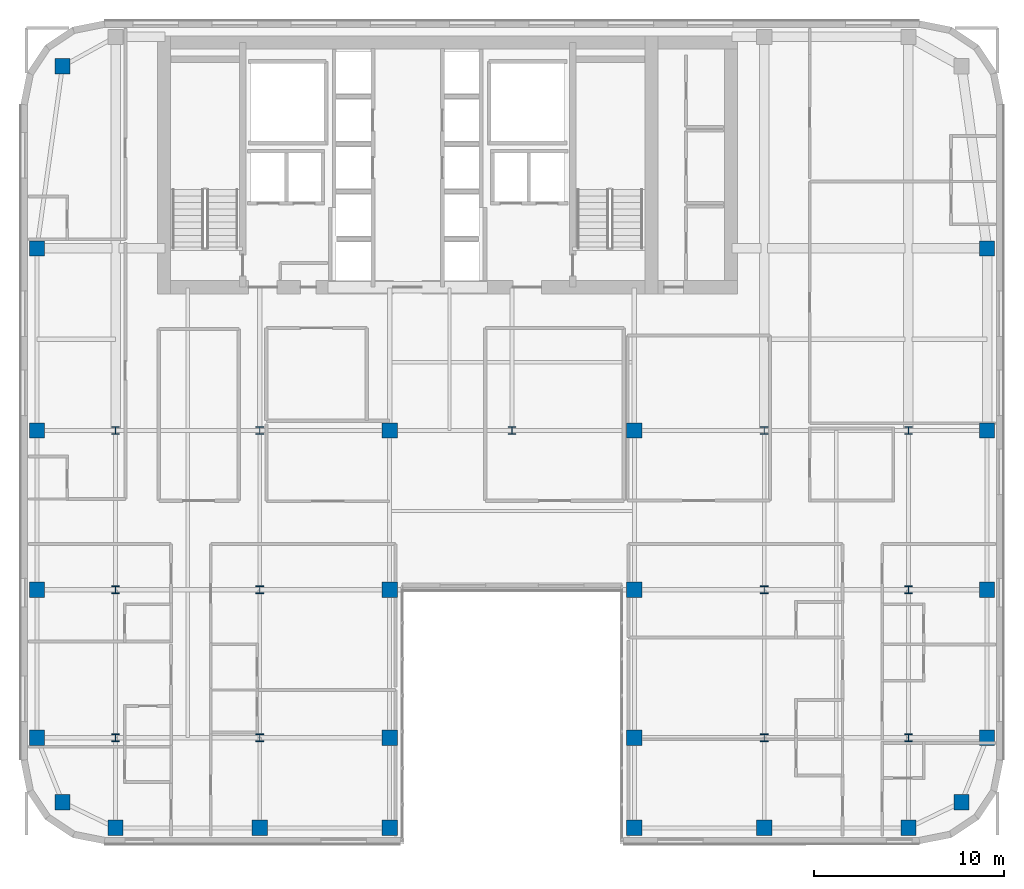
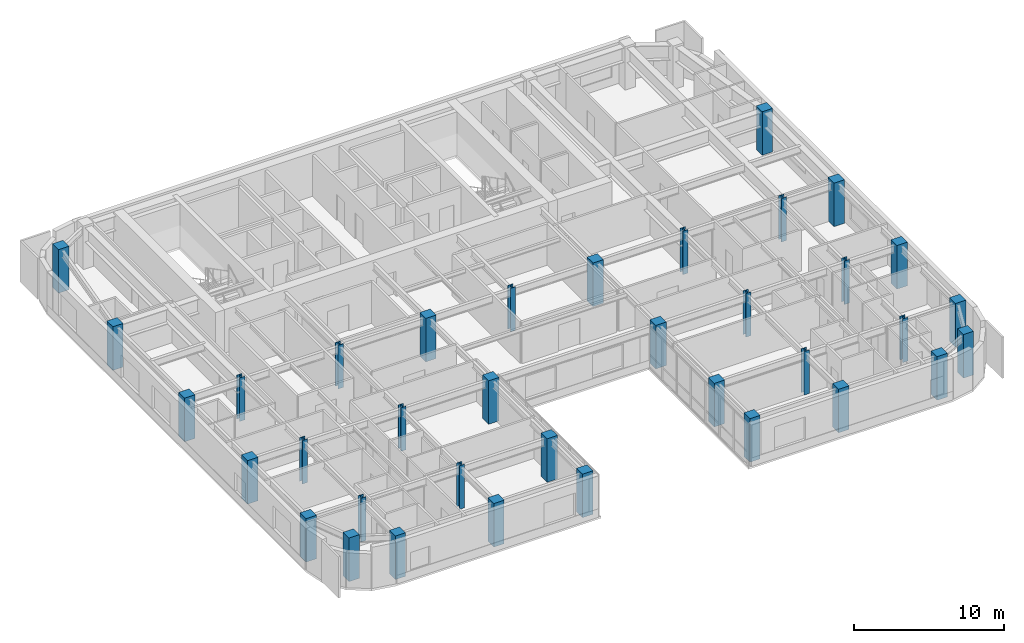
# One storey, part 1 of 20: 36 columns.
"""IFC4 building model written with IfcOpenShell, lengths in metres."""

import ifcopenshell
import ifcopenshell.guid

model = None  # the IFC model being written
_history = None  # IfcOwnerHistory: only IFC2X3 demands one
_inside = {}  # id of a spatial element -> (the spatial element, [elements in it])
_under = {}  # id of a project, library or spatial element -> (it, [spatial elements below it])
_declared = {}  # id of a project -> (the project, [libraries it declares])
_typed = {}  # id of a type object -> (the type object, [elements of that type])
_made_of = {}  # id of a material, layer set ... -> (it, [elements and type objects made of it])


def new_model(schema):
    """Start an empty IFC model of exactly this schema.

    Asked for "IFC4X3", IfcOpenShell would pick the latest addendum, in which some entities
    have other attributes; the version numbers below select the first issue.
    IFC2X3 requires an IfcOwnerHistory on every rooted entity: one is made here for all.
    """
    global model, _history
    if schema == "IFC4X3":
        model = ifcopenshell.file(schema_version=(4, 3, 0, 0))
    else:
        model = ifcopenshell.file(schema=schema)
    _inside.clear()
    _under.clear()
    _declared.clear()
    _typed.clear()
    _made_of.clear()
    _history = None
    if model.schema == "IFC2X3":
        org = make("IfcOrganization", Name="unknown")
        user = make(
            "IfcPersonAndOrganization",
            ThePerson=make("IfcPerson", FamilyName="unknown"),
            TheOrganization=org,
        )
        app = make(
            "IfcApplication",
            ApplicationDeveloper=org,
            Version="unknown",
            ApplicationFullName="unknown",
            ApplicationIdentifier="unknown",
        )
        _history = make(
            "IfcOwnerHistory",
            OwningUser=user,
            OwningApplication=app,
            ChangeAction="ADDED",
            CreationDate=0,
        )
    return model


def make(cls, **values):
    """One entity of the class cls with the attributes given. An attribute that is None is left unset."""
    return model.create_entity(
        cls, **{name: value for name, value in values.items() if value is not None}
    )


def rooted(cls, **values):
    """An entity with a GlobalId (a new one), such as an element, a storey or a relation."""
    return make(cls, GlobalId=ifcopenshell.guid.new(), OwnerHistory=_history, **values)


def si_unit(unit_type, name, prefix=None):
    """IfcSIUnit, for example si_unit("LENGTHUNIT", "METRE", prefix="MILLI")."""
    return make("IfcSIUnit", UnitType=unit_type, Prefix=prefix, Name=name)


def assignment(units):
    """IfcUnitAssignment: the units of a project."""
    return None if units is None else make("IfcUnitAssignment", Units=units)


def point(xyz):
    """IfcCartesianPoint."""
    return None if xyz is None else make("IfcCartesianPoint", Coordinates=xyz)


def direction(xyz):
    """IfcDirection."""
    return None if xyz is None else make("IfcDirection", DirectionRatios=xyz)


def frame(location, z_axis=None, x_axis=None):
    """IfcAxis2Placement3D, a coordinate frame: its origin and axes. An axis left out is left unset."""
    return make(
        "IfcAxis2Placement3D",
        Location=point(location),
        Axis=direction(z_axis),
        RefDirection=direction(x_axis),
    )


def frame_2d(location, x_axis=None):
    """IfcAxis2Placement2D, a coordinate frame in the plane: its origin and x axis."""
    return make(
        "IfcAxis2Placement2D", Location=point(location), RefDirection=direction(x_axis)
    )


def origin():
    """The frame at (0, 0, 0) with its axes left unset."""
    return frame((0.0, 0.0, 0.0))


def origin_2d():
    """The frame at (0, 0) in the plane with its x axis left unset."""
    return frame_2d((0.0, 0.0))


def place(relative_to, where):
    """IfcLocalPlacement: puts the frame where relative to a parent placement (None: the world)."""
    return make(
        "IfcLocalPlacement", PlacementRelTo=relative_to, RelativePlacement=where
    )


def context(
    kind, dimensions, precision=None, world=None, true_north=None, identifier=None
):
    """IfcGeometricRepresentationContext, for example the 3D "Model" context."""
    return make(
        "IfcGeometricRepresentationContext",
        ContextIdentifier=identifier,
        ContextType=kind,
        CoordinateSpaceDimension=dimensions,
        Precision=precision,
        WorldCoordinateSystem=world,
        TrueNorth=true_north,
    )


def subcontext(parent, identifier, kind, view, scale=None):
    """IfcGeometricRepresentationSubContext, for example "Body" below "Model"."""
    return make(
        "IfcGeometricRepresentationSubContext",
        ContextIdentifier=identifier,
        ContextType=kind,
        ParentContext=parent,
        TargetScale=scale,
        TargetView=view,
    )


def project(units=None, contexts=None):
    """IfcProject with its units and contexts."""
    return rooted(
        "IfcProject",
        Name="project",
        RepresentationContexts=contexts,
        UnitsInContext=assignment(units),
    )


def spatial(cls, under=None, at=None, **own):
    """A site, building, storey or space (cls), placed at a placement, below another one or the project."""
    s = rooted(cls, ObjectPlacement=at, **own)
    if under is not None:
        _under.setdefault(under.id(), (under, []))[1].append(s)
    return s


def profile(cls, at=None, kind="AREA", **sizes):
    """A parametric profile (cls). Its sizes go by their IFC names, for example OverallWidth=200.0."""
    return make(cls, ProfileType=kind, Position=at, **sizes)


def rectangle(**sizes):
    """IfcRectangleProfileDef."""
    return profile("IfcRectangleProfileDef", **sizes)


def i_section(**sizes):
    """IfcIShapeProfileDef."""
    return profile("IfcIShapeProfileDef", **sizes)


def extrude(swept, where, along, depth):
    """IfcExtrudedAreaSolid: the profile swept, set in the frame where, extruded along a direction by depth."""
    return make(
        "IfcExtrudedAreaSolid",
        SweptArea=swept,
        Position=where,
        ExtrudedDirection=direction(along),
        Depth=depth,
    )


def shape(context_of_items, identifier, shape_type, items):
    """IfcShapeRepresentation: the items that make up one representation, for example the "Body"."""
    return make(
        "IfcShapeRepresentation",
        ContextOfItems=context_of_items,
        RepresentationIdentifier=identifier,
        RepresentationType=shape_type,
        Items=items,
    )


def source(mapping_origin, context_of_items, identifier, shape_type, items):
    """IfcRepresentationMap: a shape defined once, which mapped items show again and again."""
    return make(
        "IfcRepresentationMap",
        MappingOrigin=mapping_origin,
        MappedRepresentation=shape(context_of_items, identifier, shape_type, items),
    )


def transform(
    local_origin,
    x_axis=None,
    y_axis=None,
    z_axis=None,
    scale=None,
    scale2=None,
    scale3=None,
    uniform=True,
):
    """IfcCartesianTransformationOperator3D, or its non-uniform kind. x_axis, y_axis, z_axis: its Axis1, 2, 3."""
    if uniform:
        return make(
            "IfcCartesianTransformationOperator3D",
            Axis1=direction(x_axis),
            Axis2=direction(y_axis),
            LocalOrigin=point(local_origin),
            Scale=scale,
            Axis3=direction(z_axis),
        )
    return make(
        "IfcCartesianTransformationOperator3DnonUniform",
        Axis1=direction(x_axis),
        Axis2=direction(y_axis),
        LocalOrigin=point(local_origin),
        Scale=scale,
        Axis3=direction(z_axis),
        Scale2=scale2,
        Scale3=scale3,
    )


def mapped(mapping_source, mapping_target):
    """IfcMappedItem: shows the shape of a source again, moved by a transform."""
    return make(
        "IfcMappedItem", MappingSource=mapping_source, MappingTarget=mapping_target
    )


def material(Name=None, Category=None):
    """IfcMaterial."""
    return make("IfcMaterial", Name=Name, Category=Category)


def material_profile(
    of_material, cross_section, Name=None, Category=None, Priority=None
):
    """IfcMaterialProfile: a cross section and its material."""
    return make(
        "IfcMaterialProfile",
        Name=Name,
        Material=of_material,
        Profile=cross_section,
        Priority=Priority,
        Category=Category,
    )


def profile_set(profiles, Name=None, composite=None):
    """IfcMaterialProfileSet."""
    return make(
        "IfcMaterialProfileSet",
        Name=Name,
        MaterialProfiles=profiles,
        CompositeProfile=composite,
    )


def made_of(thing, what):
    """Note that an element or type object is made of a material, layer set ...; save() writes the relation."""
    if what is not None:
        _made_of.setdefault(what.id(), (what, []))[1].append(thing)
    return thing


def type_object(cls, material=None, **own):
    """A type object (cls), such as IfcWallType, which elements share."""
    return made_of(rooted(cls, **own), material)


def type_shapes(of_type, sources):
    """Give a type object the sources (RepresentationMaps) that its elements show as mapped items."""
    of_type.RepresentationMaps = sources


def element(
    cls,
    number,
    at=None,
    inside=None,
    cuts=None,
    type_object=None,
    material=None,
    context=None,
    identifier="Body",
    shape_type=None,
    held_by="IfcProductDefinitionShape",
    body=None,
    shapes=None,
    **own,
):
    """One element of the class cls, such as IfcWall. Its Tag is "e" and its number.

    at: its placement. inside: the storey or other place that contains it. cuts: it is an
    opening in that element (IfcRelVoidsElement). A single representation is given by context,
    identifier, shape_type and body (its items); several are given by shapes. held_by: the class
    of the entity that holds the representations. save() writes the other relations.
    """
    e = rooted(cls, Tag="e%d" % number, ObjectPlacement=at, **own)
    if body is not None:
        shapes = [shape(context, identifier, shape_type, body)]
    if shapes is not None:
        e.Representation = make(held_by, Representations=shapes)
    if inside is not None:
        _inside.setdefault(inside.id(), (inside, []))[1].append(e)
    if cuts is not None:
        rooted(
            "IfcRelVoidsElement", RelatingBuildingElement=cuts, RelatedOpeningElement=e
        )
    if type_object is not None:
        _typed.setdefault(type_object.id(), (type_object, []))[1].append(e)
    return made_of(e, material)


def aggregate(whole, parts):
    """IfcRelAggregates: a whole, such as a stair, and the parts it consists of."""
    return rooted("IfcRelAggregates", RelatingObject=whole, RelatedObjects=parts)


def save(model, path):
    """Write the relations noted so far, then the file.

    IfcRelAggregates (storeys below a building ...), IfcRelContainedInSpatialStructure (elements
    in a storey), IfcRelDefinesByType, IfcRelAssociatesMaterial and IfcRelDeclares: one each for
    every whole, place, type object, material and project.
    """
    for whole, parts in _under.values():
        aggregate(whole, parts)
    for where, things in _inside.values():
        rooted(
            "IfcRelContainedInSpatialStructure",
            RelatedElements=things,
            RelatingStructure=where,
        )
    for kind, things in _typed.values():
        rooted("IfcRelDefinesByType", RelatedObjects=things, RelatingType=kind)
    for what, things in _made_of.values():
        rooted("IfcRelAssociatesMaterial", RelatedObjects=things, RelatingMaterial=what)
    for by, libraries in _declared.values():
        rooted("IfcRelDeclares", RelatingContext=by, RelatedDefinitions=libraries)
    model.write(path)


model = new_model("IFC4")

# Units and contexts
model_context = context("Model", 3, precision=1e-05, world=origin(), true_north=direction((0.0, 1.0)))
body_context = subcontext(model_context, "Body", "Model", "MODEL_VIEW")
ifc_project = project(units=[si_unit("LENGTHUNIT", "METRE"), si_unit("AREAUNIT", "SQUARE_METRE"), si_unit("VOLUMEUNIT", "CUBIC_METRE"), si_unit("PLANEANGLEUNIT", "RADIAN"), si_unit("MASSUNIT", "GRAM", prefix="KILO")], contexts=[model_context])

# Site, building, storey
site_placement = place(None, origin())
site = spatial("IfcSite", under=ifc_project, at=site_placement, CompositionType="ELEMENT")
building_placement = place(site_placement, origin())
building = spatial("IfcBuilding", under=site, at=building_placement, Name="Tolvann Quenvar Hotel", CompositionType="ELEMENT")
storey_placement = place(building_placement, frame((0.0, 0.0, 175.449951171875)))
storey = spatial("IfcBuildingStorey", under=building, at=storey_placement, Name="L46", CompositionType="ELEMENT", Elevation=175.449951171875)

# Columns
ifc_material_1 = material(Name="Concrete N50 (50 MPa)", Category="concrete")
ifc_material_profile_1 = material_profile(ifc_material_1, rectangle(XDim=0.800048828125, YDim=0.800048828125, at=origin_2d()), Name="RC800x800")
ifc_profile_set_1 = profile_set([ifc_material_profile_1], Name="Concrete N50 (50 MPa)")
column_type_1 = type_object("IfcColumnType", Name="COL_RC800", PredefinedType="COLUMN", material=ifc_profile_set_1)
shared_shape_1 = source(origin(), body_context, "Body", "SweptSolid", [
    extrude(rectangle(XDim=0.800048828125, YDim=0.800048828125, at=origin_2d()), origin(), (0.0, 0.0, 1.0), 3.550048828125),
])
type_shapes(column_type_1, [shared_shape_1])
for number, where, z_axis, x_axis, name in (
    (1, (4.800048828125, 4.800048828125, 0.0), (0.0, 0.0, 1.0), (1.0, 0.0, 0.0), "Column B2 (L46)"),
    (2, (3.449951171875, 8.199951171875, 0.0), (0.0, 0.0, 1.0), (1.0, 0.0, 0.0), "Column B3 (L46)"),
    (3, (3.449951171875, 16.0, 0.0), (0.0, 0.0, 1.0), (1.0, 0.0, 0.0), "Column B4 (L46)"),
    (4, (3.449951171875, 24.39990234375, 0.0), (0.0, 0.0, 1.0), (1.0, 0.0, 0.0), "Column B5 (L46)"),
    (5, (7.60009765625, 3.449951171875, 0.0), (0.0, 0.0, 1.0), (1.0, 0.0, 0.0), "Column C2 (L46)"),
    (6, (15.199951171875, 3.449951171875, 0.0), (0.0, 0.0, 1.0), (1.0, 0.0, 0.0), "Column D2 (L46)"),
    (7, (22.050048828125, 3.449951171875, 0.0), (0.0, 0.0, 1.0), (1.0, 0.0, 0.0), "Column E2 (L46)"),
    (8, (22.050048828125, 8.199951171875, 0.0), (0.0, 0.0, 1.0), (1.0, 0.0, 0.0), "Column E3 (L46)"),
    (9, (22.050048828125, 16.0, 0.0), (0.0, 0.0, 1.0), (1.0, 0.0, 0.0), "Column E4 (L46)"),
    (10, (22.050048828125, 24.39990234375, 0.0), (0.0, 0.0, 1.0), (1.0, 0.0, 0.0), "Column E5 (L46)"),
    (11, (34.949951171875, 3.449951171875, 0.0), (0.0, 0.0, 1.0), (1.0, 0.0, 0.0), "Column F2 (L46)"),
    (12, (34.949951171875, 8.199951171875, 0.0), (0.0, 0.0, 1.0), (1.0, 0.0, 0.0), "Column F3 (L46)"),
    (13, (34.949951171875, 16.0, 0.0), (0.0, 0.0, 1.0), (1.0, 0.0, 0.0), "Column F4 (L46)"),
    (14, (34.949951171875, 24.39990234375, 0.0), (0.0, 0.0, 1.0), (1.0, 0.0, 0.0), "Column F5 (L46)"),
    (15, (41.800048828125, 3.449951171875, 0.0), (0.0, 0.0, 1.0), (1.0, 0.0, 0.0), "Column H2 (L46)"),
    (16, (49.39990234375, 3.449951171875, 0.0), (0.0, 0.0, 1.0), (1.0, 0.0, 0.0), "Column I2 (L46)"),
    (17, (52.199951171875, 4.800048828125, 0.0), (0.0, 0.0, 1.0), (1.0, 0.0, 0.0), "Column J2 (L46)"),
    (18, (53.550048828125, 8.199951171875, 0.0), (0.0, 0.0, 1.0), (1.0, 0.0, 0.0), "Column J3 (L46)"),
    (19, (53.550048828125, 16.0, 0.0), (0.0, 0.0, 1.0), (1.0, 0.0, 0.0), "Column J4 (L46)"),
    (20, (53.550048828125, 24.39990234375, 0.0), (0.0, 0.0, 1.0), (1.0, 0.0, 0.0), "Column J5 (L46)"),
    (21, (4.800048828125, 43.60009765625, 0.0), (0.0, 0.0, 1.0), (1.0, 0.0, 0.0), "Column BN (L46)"),
    (22, (3.449951171875, 34.0, 0.0), (0.0, 0.0, 1.0), (1.0, 0.0, 0.0), "Column BD6 (L46)"),
    (23, (53.550048828125, 34.0, 0.0), (0.0, 0.0, 1.0), (1.0, 0.0, 0.0), "Column JD6 (L46)"),
):
    element("IfcColumn", number, at=place(storey_placement, frame(where, z_axis=z_axis, x_axis=x_axis)), inside=storey, type_object=column_type_1, Name=name, PredefinedType="COLUMN", context=body_context, shape_type="MappedRepresentation", body=[
        mapped(shared_shape_1, transform((0.0, 0.0, 0.0), x_axis=(1.0, 0.0, 0.0), y_axis=(0.0, 1.0, 0.0), z_axis=(0.0, 0.0, 1.0), scale=1.0)),
    ])
ifc_material_2 = material(Name="Steel Grade 350", Category="steel")
ifc_material_profile_2 = material_profile(ifc_material_2, i_section(OverallWidth=0.39990234375, OverallDepth=0.39990234375, WebThickness=0.02001953125, FlangeThickness=0.034912109375, at=origin_2d()), Name="400WC270")
ifc_profile_set_2 = profile_set([ifc_material_profile_2], Name="Steel Grade 350")
column_type_2 = type_object("IfcColumnType", Name="COL_400WC270", PredefinedType="COLUMN", material=ifc_profile_set_2)
shared_shape_2 = source(origin(), body_context, "Body", "SweptSolid", [
    extrude(i_section(OverallWidth=0.39990234375, OverallDepth=0.39990234375, WebThickness=0.02001953125, FlangeThickness=0.034912109375, at=origin_2d()), origin(), (0.0, 0.0, 1.0), 3.550048828125),
])
type_shapes(column_type_2, [shared_shape_2])
for number, where, z_axis, x_axis, name in (
    (24, (7.60009765625, 8.199951171875, 0.0), (0.0, 0.0, 1.0), (1.0, 0.0, 0.0), "Column C3 (L46)"),
    (25, (7.60009765625, 16.0, 0.0), (0.0, 0.0, 1.0), (1.0, 0.0, 0.0), "Column C4 (L46)"),
    (26, (7.60009765625, 24.39990234375, 0.0), (0.0, 0.0, 1.0), (1.0, 0.0, 0.0), "Column C5 (L46)"),
    (27, (15.199951171875, 8.199951171875, 0.0), (0.0, 0.0, 1.0), (1.0, 0.0, 0.0), "Column D3 (L46)"),
    (28, (15.199951171875, 16.0, 0.0), (0.0, 0.0, 1.0), (1.0, 0.0, 0.0), "Column D4 (L46)"),
    (29, (15.199951171875, 24.39990234375, 0.0), (0.0, 0.0, 1.0), (1.0, 0.0, 0.0), "Column D5 (L46)"),
    (30, (41.800048828125, 8.199951171875, 0.0), (0.0, 0.0, 1.0), (1.0, 0.0, 0.0), "Column H3 (L46)"),
    (31, (41.800048828125, 16.0, 0.0), (0.0, 0.0, 1.0), (1.0, 0.0, 0.0), "Column H4 (L46)"),
    (32, (41.800048828125, 24.39990234375, 0.0), (0.0, 0.0, 1.0), (1.0, 0.0, 0.0), "Column H5 (L46)"),
    (33, (49.39990234375, 8.199951171875, 0.0), (0.0, 0.0, 1.0), (1.0, 0.0, 0.0), "Column I3 (L46)"),
    (34, (49.39990234375, 16.0, 0.0), (0.0, 0.0, 1.0), (1.0, 0.0, 0.0), "Column I4 (L46)"),
    (35, (49.39990234375, 24.39990234375, 0.0), (0.0, 0.0, 1.0), (1.0, 0.0, 0.0), "Column I5 (L46)"),
    (36, (28.5, 24.39990234375, 0.0), (0.0, 0.0, 1.0), (1.0, 0.0, 0.0), "Column M5 (L46)"),
):
    element("IfcColumn", number, at=place(storey_placement, frame(where, z_axis=z_axis, x_axis=x_axis)), inside=storey, type_object=column_type_2, Name=name, PredefinedType="COLUMN", context=body_context, shape_type="MappedRepresentation", body=[
        mapped(shared_shape_2, transform((0.0, 0.0, 0.0), x_axis=(1.0, 0.0, 0.0), y_axis=(0.0, 1.0, 0.0), z_axis=(0.0, 0.0, 1.0), scale=1.0)),
    ])

save(model, "model.ifc")
